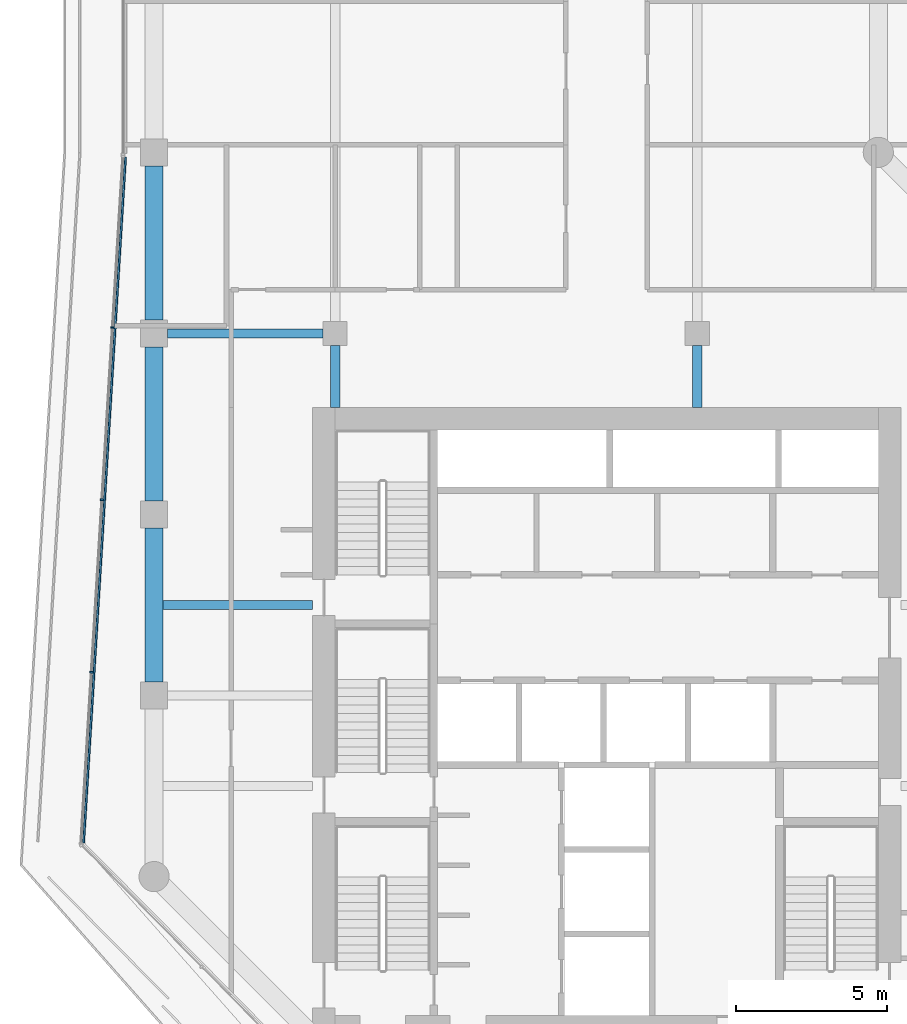
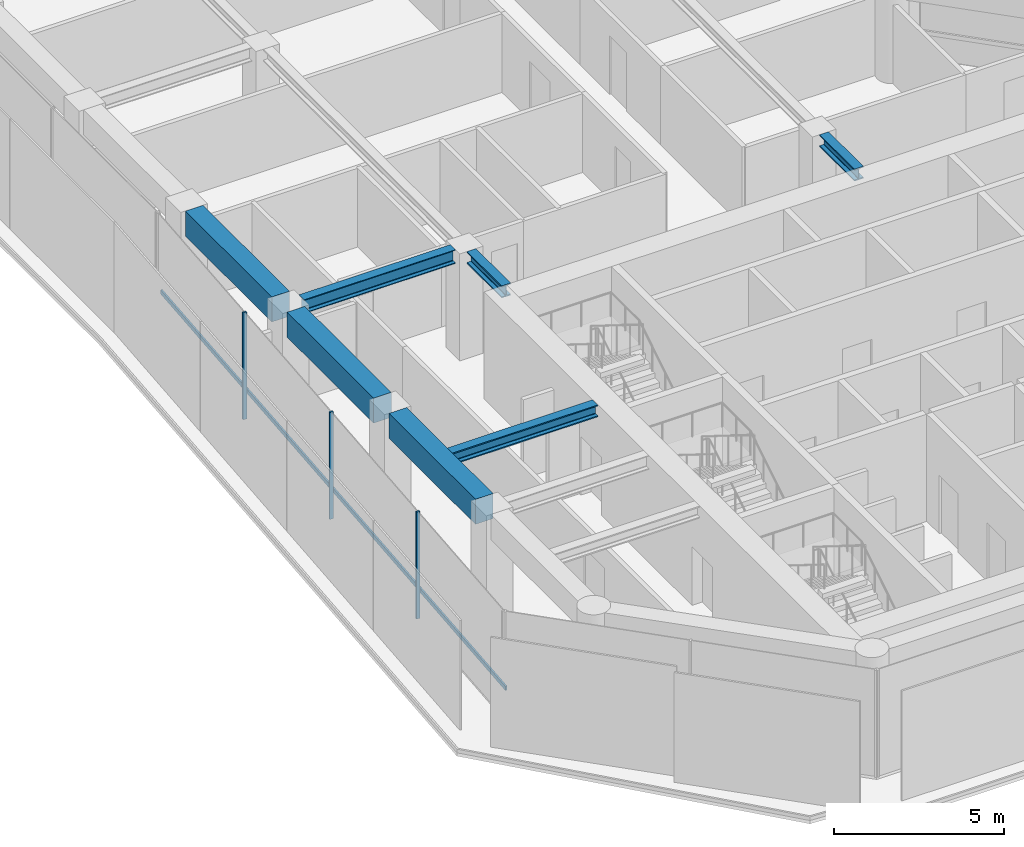
# One storey, part 4 of 24: 7 beams, 4 members, 1 element without a shape of its own.
"""IFC4 building model written with IfcOpenShell, lengths in metres."""

from ifc_helpers import new_model, si_unit, direction, frame, origin, origin_2d, place, context, subcontext, project, spatial, rectangle, i_section, extrude, material, layer, layer_set, material_profile, profile_set, type_object, element, aggregate, save


model = new_model("IFC4")

# Units and contexts
model_context = context("Model", 3, precision=1e-05, world=origin(), true_north=direction((0.0, 1.0)))
body_context = subcontext(model_context, "Body", "Model", "MODEL_VIEW")
ifc_project = project(units=[si_unit("LENGTHUNIT", "METRE"), si_unit("AREAUNIT", "SQUARE_METRE"), si_unit("VOLUMEUNIT", "CUBIC_METRE"), si_unit("PLANEANGLEUNIT", "RADIAN"), si_unit("MASSUNIT", "GRAM", prefix="KILO")], contexts=[model_context])

# Site, building, storey
site_placement = place(None, origin())
site = spatial("IfcSite", under=ifc_project, at=site_placement, CompositionType="ELEMENT")
building_placement = place(site_placement, origin())
building = spatial("IfcBuilding", under=site, at=building_placement, Name="Welwitschia Terrace Campus", CompositionType="ELEMENT")
storey_placement = place(building_placement, frame((0.0, 0.0, 125.60009765625)))
storey = spatial("IfcBuildingStorey", under=building, at=storey_placement, Name="L28", CompositionType="ELEMENT", Elevation=125.60009765625)

# Beams
ifc_material_1 = material(Name="Steel S355", Category="steel")
ifc_material_profile_1 = material_profile(ifc_material_1, i_section(OverallWidth=0.306884765625, OverallDepth=0.431884765625, WebThickness=0.02099609375, FlangeThickness=0.0400390625, FilletRadius=0.027099609375, at=origin_2d()))
ifc_profile_set_1 = profile_set([ifc_material_profile_1], Name="Steel S355")
beam_type_1 = type_object("IfcBeamType", Name="Interior girder HE 400 M", PredefinedType="BEAM", material=ifc_profile_set_1)
beam_1_placement = place(storey_placement, frame((-0.010009765625, 19.0, 3.6337890625), z_axis=(1.0, 0.0, 0.0), x_axis=(0.0, 1.0, 0.0)))
element("IfcBeam", 1, at=beam_1_placement, inside=storey, type_object=beam_type_1, Name="Girder GB3", PredefinedType="BEAM", context=body_context, shape_type="SweptSolid", body=[
    extrude(i_section(OverallWidth=0.306884765625, OverallDepth=0.431884765625, WebThickness=0.02099609375, FlangeThickness=0.0400390625, FilletRadius=0.027099609375, at=origin_2d()), origin(), (0.0, 0.0, 1.0), 5.259033203125),
])
for number, where, z_axis, x_axis, name in (
    (2, (6.0, 25.551025390625, 3.6337890625), (0.0, 1.0, 0.0), (-1.0, 0.0, 0.0), "Girder GB3"),
    (3, (18.0, 25.551025390625, 3.6337890625), (0.0, 1.0, 0.0), (-1.0, 0.0, 0.0), "Girder GB3"),
):
    element("IfcBeam", number, at=place(storey_placement, frame(where, z_axis=z_axis, x_axis=x_axis)), inside=storey, type_object=beam_type_1, Name=name, PredefinedType="BEAM", context=body_context, shape_type="SweptSolid", body=[
        extrude(i_section(OverallWidth=0.306884765625, OverallDepth=0.431884765625, WebThickness=0.02099609375, FlangeThickness=0.0400390625, FilletRadius=0.027099609375, at=origin_2d()), origin(), (0.0, 0.0, 1.0), 2.048583984375),
    ])

# Curtain wall, members
ifc_material_2 = material(Name="Bronze anodised aluminium", Category="aluminium")
ifc_layer = layer(ifc_material_2, 0.1201171875)
ifc_layer_set = layer_set([ifc_layer], Name="Bronze anodised aluminium")
curtain_wall_type = type_object("IfcCurtainWallType", Name="Curtain wall CW2 tower 6000", PredefinedType="NOTDEFINED", material=ifc_layer_set)
curtain_wall_placement = place(storey_placement, origin())
curtain_wall = element("IfcCurtainWall", 4, at=curtain_wall_placement, inside=storey, type_object=curtain_wall_type, Name="CW L28.0.0", PredefinedType="NOTDEFINED")
ifc_material_3 = material(Name="Bronze anodised aluminium", Category="aluminium")
ifc_material_profile_2 = material_profile(ifc_material_3, rectangle(XDim=0.1201171875, YDim=0.06005859375, at=origin_2d()))
ifc_profile_set_2 = profile_set([ifc_material_profile_2], Name="Bronze anodised aluminium")
member_type_1 = type_object("IfcMemberType", Name="Mullion 60x120", PredefinedType="MULLION", material=ifc_profile_set_2)
member_1_placement = place(storey_placement, frame((-1.379150390625, 28.194580078125, 0.0), z_axis=(0.0, 0.0, 1.0), x_axis=(0.998134798422, -0.061048539535, 0.0)))
member_1 = element("IfcMember", 5, at=member_1_placement, type_object=member_type_1, Name="Mullion L28.0.0.1", PredefinedType="MULLION", context=body_context, shape_type="SweptSolid", body=[
    extrude(rectangle(XDim=0.1201171875, YDim=0.06005859375, at=origin_2d()), origin(), (0.0, 0.0, 1.0), 3.849853515625),
])
member_2_placement = place(storey_placement, frame((-1.728515625, 22.484619140625, 0.0), z_axis=(0.0, 0.0, 1.0), x_axis=(0.998134798422, -0.061048539535, 0.0)))
member_2 = element("IfcMember", 6, at=member_2_placement, type_object=member_type_1, Name="Mullion L28.0.0.2", PredefinedType="MULLION", context=body_context, shape_type="SweptSolid", body=[
    extrude(rectangle(XDim=0.1201171875, YDim=0.06005859375, at=origin_2d()), origin(), (0.0, 0.0, 1.0), 3.849853515625),
])
member_3_placement = place(storey_placement, frame((-2.07763671875, 16.774658203125, 0.0), z_axis=(0.0, 0.0, 1.0), x_axis=(0.998134798422, -0.061048539535, 0.0)))
member_3 = element("IfcMember", 7, at=member_3_placement, type_object=member_type_1, Name="Mullion L28.0.0.3", PredefinedType="MULLION", context=body_context, shape_type="SweptSolid", body=[
    extrude(rectangle(XDim=0.1201171875, YDim=0.06005859375, at=origin_2d()), origin(), (0.0, 0.0, 1.0), 3.849853515625),
])

# Beams
ifc_material_4 = material(Name="Steel S355", Category="steel")
ifc_material_profile_3 = material_profile(ifc_material_4, i_section(OverallWidth=0.300048828125, OverallDepth=0.5, WebThickness=0.014404296875, FlangeThickness=0.028076171875, FilletRadius=0.027099609375, at=origin_2d()))
ifc_profile_set_3 = profile_set([ifc_material_profile_3], Name="Steel S355")
beam_type_2 = type_object("IfcBeamType", Name="Primary beam HE 500 B", PredefinedType="BEAM", material=ifc_profile_set_3)
beam_2_placement = place(storey_placement, frame((0.450439453125, 28.0, 3.599853515625), z_axis=(1.0, 0.0, 0.0), x_axis=(0.0, 1.0, 0.0)))
element("IfcBeam", 8, at=beam_2_placement, inside=storey, type_object=beam_type_2, Name="Primary beam PB3", PredefinedType="BEAM", context=body_context, shape_type="SweptSolid", body=[
    extrude(i_section(OverallWidth=0.300048828125, OverallDepth=0.5, WebThickness=0.014404296875, FlangeThickness=0.028076171875, FilletRadius=0.027099609375, at=origin_2d()), origin(), (0.0, 0.0, 1.0), 5.149169921875),
])
ifc_material_5 = material(Name="Concrete C60/75", Category="concrete")
ifc_material_profile_4 = material_profile(ifc_material_5, rectangle(XDim=0.60009765625, YDim=0.89990234375, at=origin_2d()))
ifc_profile_set_4 = profile_set([ifc_material_profile_4], Name="Concrete C60/75")
beam_type_3 = type_object("IfcBeamType", Name="Ring spandrel 600x900", PredefinedType="SPANDREL", material=ifc_profile_set_4)
for number, where, z_axis, x_axis, name in (
    (9, (0.0, 33.549560546875, 3.39990234375), (0.0, -1.0, 0.0), (1.0, 0.0, 0.0), "Spandrel SP2"),
    (10, (0.0, 27.549560546875, 3.39990234375), (0.0, -1.0, 0.0), (1.0, 0.0, 0.0), "Spandrel SP2"),
    (11, (0.0, 21.549560546875, 3.39990234375), (0.0, -1.0, 0.0), (1.0, 0.0, 0.0), "Spandrel SP2"),
):
    element("IfcBeam", number, at=place(storey_placement, frame(where, z_axis=z_axis, x_axis=x_axis)), inside=storey, type_object=beam_type_3, Name=name, PredefinedType="SPANDREL", context=body_context, shape_type="SweptSolid", body=[
        extrude(rectangle(XDim=0.60009765625, YDim=0.89990234375, at=origin_2d()), origin(), (0.0, 0.0, 1.0), 5.09912109375),
    ])

# Member
ifc_material_6 = material(Name="Bronze anodised aluminium", Category="aluminium")
ifc_material_profile_5 = material_profile(ifc_material_6, rectangle(XDim=0.06005859375, YDim=0.14990234375, at=origin_2d()))
ifc_profile_set_5 = profile_set([ifc_material_profile_5], Name="Bronze anodised aluminium")
member_type_2 = type_object("IfcMemberType", Name="Transom 60x150", PredefinedType="USERDEFINED", material=ifc_profile_set_5)
member_4_placement = place(storey_placement, frame((-0.94384765625, 33.839111328125, 1.0), z_axis=(-0.06105009329, -0.998134703389, 0.0), x_axis=(0.998134703389, -0.06105009329, 0.0)))
member_4 = element("IfcMember", 12, at=member_4_placement, type_object=member_type_2, Name="Transom L28.0.0", ObjectType="TRANSOM", PredefinedType="USERDEFINED", context=body_context, shape_type="SweptSolid", body=[
    extrude(rectangle(XDim=0.06005859375, YDim=0.14990234375, at=origin_2d()), origin(), (0.0, 0.0, 1.0), 22.762451171875),
])

aggregate(curtain_wall, [member_1, member_2, member_3, member_4])

save(model, "model.ifc")
